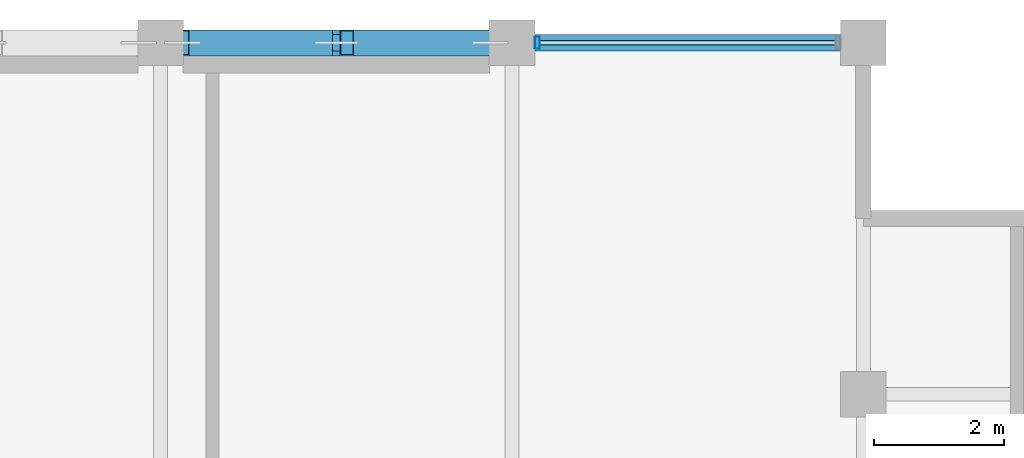
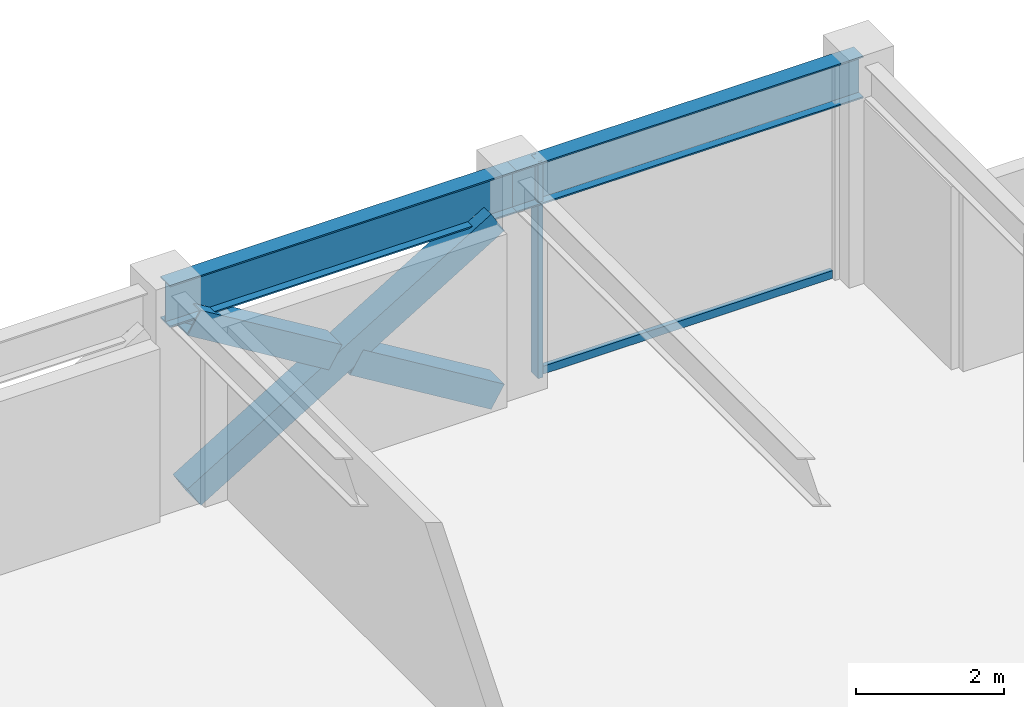
# One storey, part 19 of 31: 5 members, 2 beams, 1 element without a shape of its own.
"""IFC4 building model written with IfcOpenShell, lengths in metres."""

from ifc_helpers import new_model, si_unit, direction, frame, origin, origin_2d, place, context, subcontext, project, spatial, hollow_rectangle, i_section, extrude, material, layer, layer_set, material_profile, profile_set, type_object, element, aggregate, save


model = new_model("IFC4")

# Units and contexts
model_context = context("Model", 3, precision=1e-05, world=origin(), true_north=direction((0.0, 1.0)))
body_context = subcontext(model_context, "Body", "Model", "MODEL_VIEW")
ifc_project = project(units=[si_unit("LENGTHUNIT", "METRE"), si_unit("AREAUNIT", "SQUARE_METRE"), si_unit("VOLUMEUNIT", "CUBIC_METRE"), si_unit("PLANEANGLEUNIT", "RADIAN"), si_unit("MASSUNIT", "GRAM", prefix="KILO")], contexts=[model_context])

# Site, building, storey
site_placement = place(None, origin())
site = spatial("IfcSite", under=ifc_project, at=site_placement, CompositionType="ELEMENT")
building_placement = place(site_placement, origin())
building = spatial("IfcBuilding", under=site, at=building_placement, Name="Surkhivell Harbour Commons", CompositionType="ELEMENT")
storey_placement = place(building_placement, frame((0.0, 0.0, 270.0)))
storey = spatial("IfcBuildingStorey", under=building, at=storey_placement, Name="L70", CompositionType="ELEMENT", Elevation=270.0)

# Beams
ifc_material_1 = material(Name="Steel S355", Category="steel")
ifc_material_profile_1 = material_profile(ifc_material_1, i_section(OverallWidth=0.256103515625, OverallDepth=0.693115234375, WebThickness=0.014404296875, FlangeThickness=0.023681640625, at=origin_2d()), Name="UB686x254x170")
ifc_profile_set_1 = profile_set([ifc_material_profile_1], Name="Steel S355")
beam_type = type_object("IfcBeamType", Name="BM-SPN-686", PredefinedType="SPANDREL", material=ifc_profile_set_1)
beam_1_placement = place(storey_placement, frame((0.0, 25.89990234375, 3.223388671875), z_axis=(1.0, 0.0, 0.0), x_axis=(0.0, 1.0, 0.0)))
element("IfcBeam", 1, at=beam_1_placement, inside=storey, type_object=beam_type, Name="L70 Tube Spandrel (-0.0,25.9)", PredefinedType="SPANDREL", context=body_context, shape_type="SweptSolid", body=[
    extrude(i_section(OverallWidth=0.256103515625, OverallDepth=0.693115234375, WebThickness=0.014404296875, FlangeThickness=0.023681640625, at=origin_2d()), origin(), (0.0, 0.0, 1.0), 5.39990234375),
])
beam_2_placement = place(storey_placement, frame((5.39990234375, 25.89990234375, 3.223388671875), z_axis=(1.0, 0.0, 0.0), x_axis=(0.0, 1.0, 0.0)))
element("IfcBeam", 2, at=beam_2_placement, inside=storey, type_object=beam_type, Name="L70 Tube Spandrel (5.4,25.9)", PredefinedType="SPANDREL", context=body_context, shape_type="SweptSolid", body=[
    extrude(i_section(OverallWidth=0.256103515625, OverallDepth=0.693115234375, WebThickness=0.014404296875, FlangeThickness=0.023681640625, at=origin_2d()), origin(), (0.0, 0.0, 1.0), 5.400146484375),
])

# Curtain wall, members
ifc_material_2 = material(Name="Anodised pale-metal aluminium and insulated glazing", Category="aluminium")
ifc_layer = layer(ifc_material_2, 0.175048828125)
ifc_layer_set = layer_set([ifc_layer], Name="Anodised pale-metal aluminium and insulated glazing")
curtain_wall_type = type_object("IfcCurtainWallType", Name="CW-SYS-Z4", PredefinedType="NOTDEFINED", material=ifc_layer_set)
curtain_wall_placement = place(storey_placement, origin())
curtain_wall = element("IfcCurtainWall", 3, at=curtain_wall_placement, inside=storey, type_object=curtain_wall_type, Name="L70 Curtain Wall CW-L70-E07S1", PredefinedType="NOTDEFINED")
ifc_material_3 = material(Name="Anodised pale-metal aluminium alloy 6063-T6", Category="aluminium")
ifc_material_profile_2 = material_profile(ifc_material_3, hollow_rectangle(XDim=0.074951171875, YDim=0.18994140625, WallThickness=0.00390625, at=origin_2d()), Name="ALU-MULL-75x190")
ifc_profile_set_2 = profile_set([ifc_material_profile_2], Name="Anodised pale-metal aluminium alloy 6063-T6")
member_type_1 = type_object("IfcMemberType", Name="CWM-190", PredefinedType="MULLION", material=ifc_profile_set_2)
member_1_placement = place(storey_placement, frame((5.78955078125, 25.89990234375, 0.0), z_axis=(0.0, 0.0, 1.0), x_axis=(-1.0, 0.0, 0.0)))
member_1 = element("IfcMember", 4, at=member_1_placement, type_object=member_type_1, Name="CW-Z4 mullion 2", PredefinedType="MULLION", context=body_context, shape_type="SweptSolid", body=[
    extrude(hollow_rectangle(XDim=0.074951171875, YDim=0.18994140625, WallThickness=0.00390625, at=origin_2d()), origin(), (0.0, 0.0, 1.0), 3.570068359375),
])
ifc_material_4 = material(Name="Champagne anodised aluminium alloy 6063-T6", Category="aluminium")
ifc_material_profile_3 = material_profile(ifc_material_4, hollow_rectangle(XDim=0.070068359375, YDim=0.1298828125, WallThickness=0.00341796875, at=origin_2d()), Name="ALU-TRAN-70x130")
ifc_profile_set_3 = profile_set([ifc_material_profile_3], Name="Champagne anodised aluminium alloy 6063-T6")
member_type_2 = type_object("IfcMemberType", Name="CWT-130", PredefinedType="USERDEFINED", material=ifc_profile_set_3)
member_2_placement = place(storey_placement, frame((10.373046875, 25.89990234375, 0.06494140625), z_axis=(-1.0, 0.0, 0.0), x_axis=(0.0, -1.0, 0.0)))
member_2 = element("IfcMember", 5, at=member_2_placement, type_object=member_type_2, Name="CW-Z4 transom 1.1", ObjectType="TRANSOM", PredefinedType="USERDEFINED", context=body_context, shape_type="SweptSolid", body=[
    extrude(hollow_rectangle(XDim=0.070068359375, YDim=0.1298828125, WallThickness=0.00341796875, at=origin_2d()), origin(), (0.0, 0.0, 1.0), 4.546142578125),
])
aggregate(curtain_wall, [member_1, member_2])

# Members
ifc_material_5 = material(Name="Steel S460", Category="steel")
ifc_material_profile_4 = material_profile(ifc_material_5, hollow_rectangle(XDim=0.39990234375, YDim=0.39990234375, WallThickness=0.02001953125, at=origin_2d()), Name="SHS400x400x20")
ifc_profile_set_4 = profile_set([ifc_material_profile_4], Name="Steel S460")
member_type_3 = type_object("IfcMemberType", Name="MEM-BRC-SHS400", PredefinedType="BRACE", material=ifc_profile_set_4)
member_3_placement = place(storey_placement, frame((0.3349609375, 25.89990234375, 0.008056640625), z_axis=(0.854685454322, 0.0, 0.519146197299), x_axis=(0.0, 1.0, 0.0)))
element("IfcMember", 6, at=member_3_placement, inside=storey, type_object=member_type_3, Name="L70 Perimeter Mega-Brace MB- 04", PredefinedType="BRACE", context=body_context, shape_type="SweptSolid", body=[
    extrude(hollow_rectangle(XDim=0.39990234375, YDim=0.39990234375, WallThickness=0.02001953125, at=origin_2d()), origin(), (0.0, 0.0, 1.0), 5.5341796875),
])
member_4_placement = place(storey_placement, frame((5.06494140625, 25.89990234375, 0.008056640625), z_axis=(-0.854719912157, 0.0, 0.519089464122), x_axis=(0.0, -1.0, 0.0)))
element("IfcMember", 7, at=member_4_placement, inside=storey, type_object=member_type_3, Name="L70 Perimeter Mega-Brace MB- 05", PredefinedType="BRACE", context=body_context, shape_type="SweptSolid", body=[
    extrude(hollow_rectangle(XDim=0.39990234375, YDim=0.39990234375, WallThickness=0.02001953125, at=origin_2d()), origin(), (0.0, 0.0, 1.0), 2.574951171875),
])
member_5_placement = place(storey_placement, frame((2.535888671875, 25.89990234375, 1.544189453125), z_axis=(-0.854677846108, 0.0, 0.519158722716), x_axis=(0.0, -1.0, 0.0)))
element("IfcMember", 8, at=member_5_placement, inside=storey, type_object=member_type_3, Name="L70 Perimeter Mega-Brace MB- 06", PredefinedType="BRACE", context=body_context, shape_type="SweptSolid", body=[
    extrude(hollow_rectangle(XDim=0.39990234375, YDim=0.39990234375, WallThickness=0.02001953125, at=origin_2d()), origin(), (0.0, 0.0, 1.0), 2.5751953125),
])

save(model, "model.ifc")
